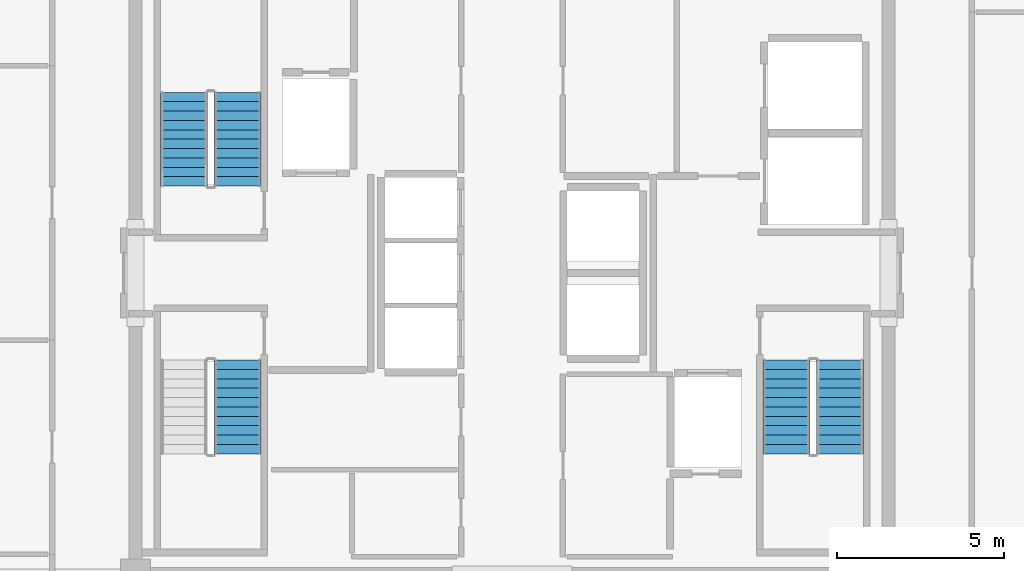
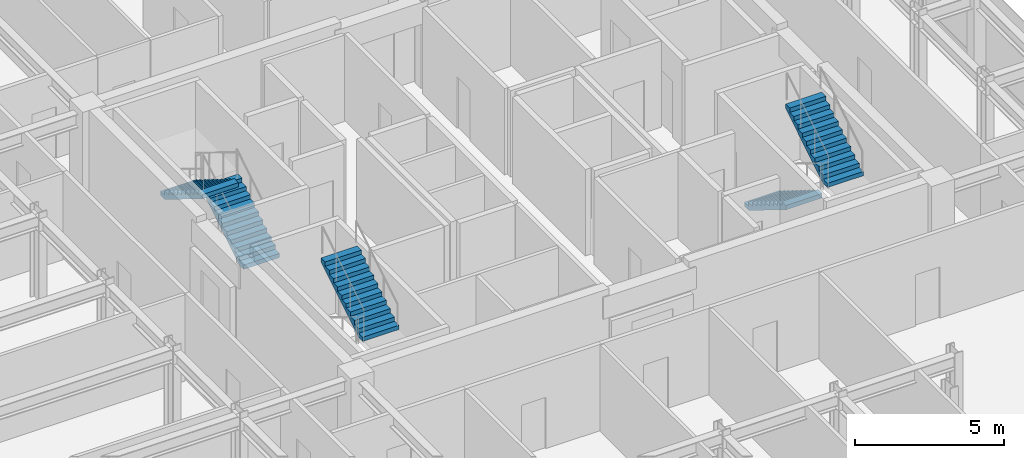
# One storey, part 15 of 16: 5 stair flights, 3 elements without a shape of their own.
"""IFC4 building model written with IfcOpenShell, lengths in metres."""

from ifc_helpers import new_model, si_unit, direction, frame, origin, place, context, subcontext, project, spatial, polyline, outline, extrude, source, transform, mapped, material, type_object, element, aggregate, save


model = new_model("IFC4")

# Units and contexts
model_context = context("Model", 3, precision=1e-05, world=origin(), true_north=direction((0.0, 1.0)))
body_context = subcontext(model_context, "Body", "Model", "MODEL_VIEW")
ifc_project = project(units=[si_unit("LENGTHUNIT", "METRE"), si_unit("AREAUNIT", "SQUARE_METRE"), si_unit("VOLUMEUNIT", "CUBIC_METRE"), si_unit("PLANEANGLEUNIT", "RADIAN"), si_unit("MASSUNIT", "GRAM", prefix="KILO")], contexts=[model_context])

# Site, building, storey
site_placement = place(None, origin())
site = spatial("IfcSite", under=ifc_project, at=site_placement, CompositionType="ELEMENT")
building_placement = place(site_placement, origin())
building = spatial("IfcBuilding", under=site, at=building_placement, Name="Nefas-Gora Pilgrimage Tower", CompositionType="ELEMENT")
storey_placement = place(building_placement, frame((0.0, 0.0, 322.39990234375)))
storey = spatial("IfcBuildingStorey", under=building, at=storey_placement, Name="L81", CompositionType="ELEMENT", Elevation=322.39990234375)

# Stair, stair flights
ifc_material = material(Name="Concrete C45/55", Category="concrete")
stair_type = type_object("IfcStairType", Name="STR-1400-R1727", PredefinedType="HALF_TURN_STAIR", material=ifc_material)
stair_1_placement = place(storey_placement, origin())
stair_1 = element("IfcStair", 1, at=stair_1_placement, inside=storey, type_object=stair_type, Name="L81 Pressurised Tower Exit Stair ST-01", PredefinedType="HALF_TURN_STAIR")
stair_flight_type = type_object("IfcStairFlightType", Name="STF-1400-R1727", PredefinedType="STRAIGHT", material=ifc_material)
shared_shape = source(origin(), body_context, "Body", "SweptSolid", [
    extrude(outline(polyline([(0.0, 0.0), (0.0, 0.172607421875), (0.280029296875, 0.172607421875), (0.280029296875, 0.345458984375), (0.56005859375, 0.345458984375), (0.56005859375, 0.51806640625), (0.840087890625, 0.51806640625), (0.840087890625, 0.69091796875), (1.1201171875, 0.69091796875), (1.1201171875, 0.863525390625), (1.39990234375, 0.863525390625), (1.39990234375, 1.036376953125), (1.679931640625, 1.036376953125), (1.679931640625, 1.208984375), (1.9599609375, 1.208984375), (1.9599609375, 1.3818359375), (2.239990234375, 1.3818359375), (2.239990234375, 1.554443359375), (2.52001953125, 1.554443359375), (2.52001953125, 1.727294921875), (2.800048828125, 1.727294921875), (2.800048828125, 1.89990234375), (2.800048828125, 1.551025390625), (0.285400390625, 0.0), (0.0, 0.0)])), frame((0.0, 0.699951171875, 0.0), z_axis=(0.0, -1.0, 0.0), x_axis=(1.0, 0.0, 0.0)), (0.0, 0.0, 1.0), 1.39990234375),
])
stair_flight_1_placement = place(storey_placement, frame((-8.199951171875, 2.60009765625, 0.0), z_axis=(0.0, 0.0, 1.0), x_axis=(0.0, 1.0, 0.0)))
stair_flight_1 = element("IfcStairFlight", 2, at=stair_flight_1_placement, type_object=stair_flight_type, Name="ST-01 flight 1", NumberOfRisers=11, NumberOfTreads=10, PredefinedType="STRAIGHT", RiserHeight=0.172727273, TreadLength=0.28, context=body_context, shape_type="MappedRepresentation", body=[
    mapped(shared_shape, transform((0.0, 0.0, 0.0), x_axis=(1.0, 0.0, 0.0), y_axis=(0.0, 1.0, 0.0), z_axis=(0.0, 0.0, 1.0), scale=1.0)),
])
stair_flight_2_placement = place(storey_placement, frame((-9.800048828125, 5.39990234375, 1.900146484375), z_axis=(0.0, 0.0, 1.0), x_axis=(0.0, -1.0, 0.0)))
stair_flight_2 = element("IfcStairFlight", 3, at=stair_flight_2_placement, type_object=stair_flight_type, Name="ST-01 flight 2", NumberOfRisers=11, NumberOfTreads=10, PredefinedType="STRAIGHT", RiserHeight=0.172727273, TreadLength=0.28, context=body_context, shape_type="MappedRepresentation", body=[
    mapped(shared_shape, transform((0.0, 0.0, 0.0), x_axis=(1.0, 0.0, 0.0), y_axis=(0.0, 1.0, 0.0), z_axis=(0.0, 0.0, 1.0), scale=1.0)),
])
aggregate(stair_1, [stair_flight_1, stair_flight_2])

stair_2_placement = place(storey_placement, origin())
stair_2 = element("IfcStair", 4, at=stair_2_placement, inside=storey, type_object=stair_type, Name="L81 Pressurised Tower Exit Stair ST-02", PredefinedType="HALF_TURN_STAIR")
stair_flight_3_placement = place(storey_placement, frame((8.199951171875, -2.60009765625, 0.0), z_axis=(0.0, 0.0, 1.0), x_axis=(0.0, -1.0, 0.0)))
stair_flight_3 = element("IfcStairFlight", 5, at=stair_flight_3_placement, type_object=stair_flight_type, Name="ST-02 flight 1", NumberOfRisers=11, NumberOfTreads=10, PredefinedType="STRAIGHT", RiserHeight=0.172727273, TreadLength=0.28, context=body_context, shape_type="MappedRepresentation", body=[
    mapped(shared_shape, transform((0.0, 0.0, 0.0), x_axis=(1.0, 0.0, 0.0), y_axis=(0.0, 1.0, 0.0), z_axis=(0.0, 0.0, 1.0), scale=1.0)),
])
stair_flight_4_placement = place(storey_placement, frame((9.800048828125, -5.39990234375, 1.900146484375), z_axis=(0.0, 0.0, 1.0), x_axis=(0.0, 1.0, 0.0)))
stair_flight_4 = element("IfcStairFlight", 6, at=stair_flight_4_placement, type_object=stair_flight_type, Name="ST-02 flight 2", NumberOfRisers=11, NumberOfTreads=10, PredefinedType="STRAIGHT", RiserHeight=0.172727273, TreadLength=0.28, context=body_context, shape_type="MappedRepresentation", body=[
    mapped(shared_shape, transform((0.0, 0.0, 0.0), x_axis=(1.0, 0.0, 0.0), y_axis=(0.0, 1.0, 0.0), z_axis=(0.0, 0.0, 1.0), scale=1.0)),
])
aggregate(stair_2, [stair_flight_3, stair_flight_4])

# Stair, stair flight
stair_3_placement = place(storey_placement, origin())
stair_3 = element("IfcStair", 7, at=stair_3_placement, inside=storey, type_object=stair_type, Name="L81 Pressurised Tower Exit Stair ST-03", PredefinedType="HALF_TURN_STAIR")
stair_flight_5_placement = place(storey_placement, frame((-8.199951171875, -5.39990234375, 1.900146484375), z_axis=(0.0, 0.0, 1.0), x_axis=(0.0, 1.0, 0.0)))
stair_flight_5 = element("IfcStairFlight", 8, at=stair_flight_5_placement, type_object=stair_flight_type, Name="ST-03 flight 2", NumberOfRisers=11, NumberOfTreads=10, PredefinedType="STRAIGHT", RiserHeight=0.172727273, TreadLength=0.28, context=body_context, shape_type="MappedRepresentation", body=[
    mapped(shared_shape, transform((0.0, 0.0, 0.0), x_axis=(1.0, 0.0, 0.0), y_axis=(0.0, 1.0, 0.0), z_axis=(0.0, 0.0, 1.0), scale=1.0)),
])
aggregate(stair_3, [stair_flight_5])

save(model, "model.ifc")
